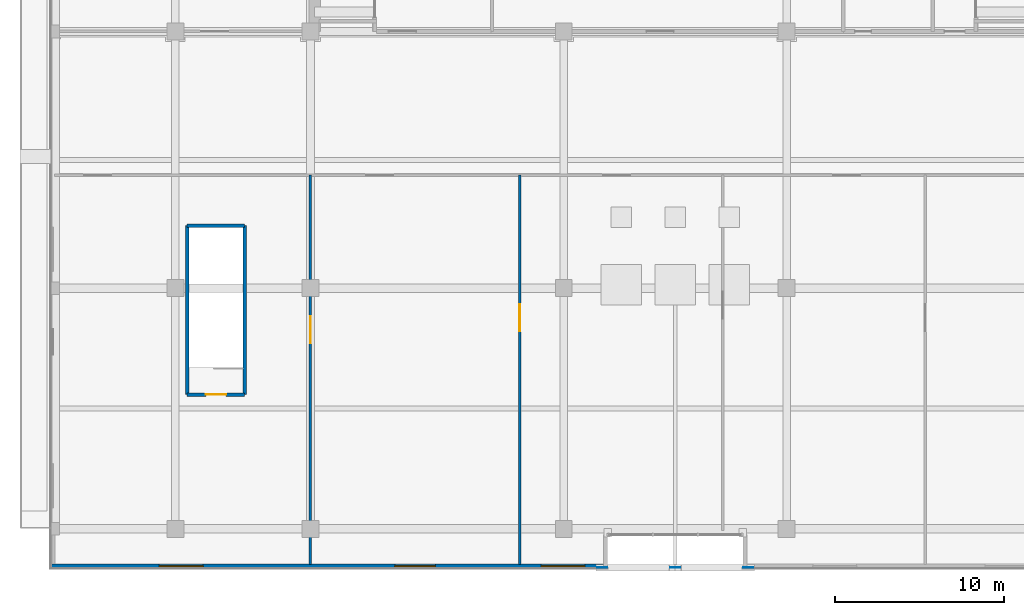
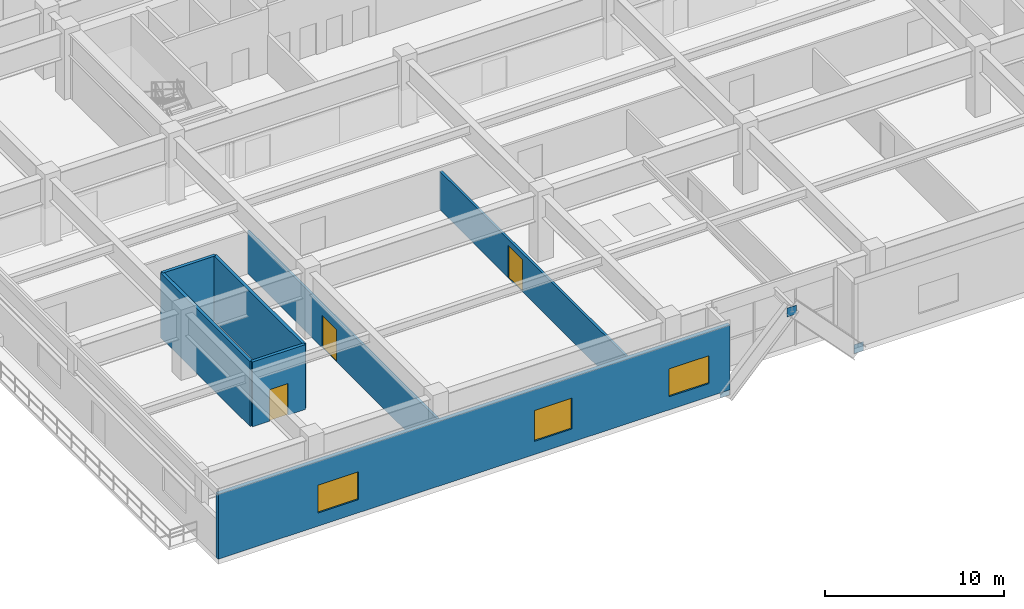
# One storey, part 10 of 17: 7 walls, 3 doors, 3 plates, 3 windows, 6 openings.
"""IFC4 building model written with IfcOpenShell, lengths in metres."""

from ifc_helpers import new_model, si_unit, direction, frame, frame_2d, origin, origin_2d, place, context, subcontext, project, spatial, rectangle, extrude, source, transform, mapped, material, layer, layer_set, type_object, element, fill, save


model = new_model("IFC4")

# Units and contexts
model_context = context("Model", 3, precision=1e-05, world=origin(), true_north=direction((0.0, 1.0)))
body_context = subcontext(model_context, "Body", "Model", "MODEL_VIEW")
ifc_project = project(units=[si_unit("LENGTHUNIT", "METRE"), si_unit("AREAUNIT", "SQUARE_METRE"), si_unit("VOLUMEUNIT", "CUBIC_METRE"), si_unit("PLANEANGLEUNIT", "RADIAN"), si_unit("MASSUNIT", "GRAM", prefix="KILO")], contexts=[model_context])

# Site, building, storey
site_placement = place(None, origin())
site = spatial("IfcSite", under=ifc_project, at=site_placement, CompositionType="ELEMENT")
building_placement = place(site_placement, origin())
building = spatial("IfcBuilding", under=site, at=building_placement, Name="Trelvane Seafront Commons", CompositionType="ELEMENT")
storey_placement = place(building_placement, frame((0.0, 0.0, 18.699951171875)))
storey = spatial("IfcBuildingStorey", under=building, at=storey_placement, Name="L04", CompositionType="ELEMENT", Elevation=18.699951171875)

# Plates
ifc_material_1 = material(Name="Steel SM355 (S355)", Category="steel")
ifc_layer_1 = layer(ifc_material_1, 0.031982421875, Name="STR-PLT-GUS2")
ifc_layer_set_1 = layer_set([ifc_layer_1], Name="Steel SM355 (S355)")
plate_type = type_object("IfcPlateType", Name="STR-PLT-GUS2", PredefinedType="SHEET", material=ifc_layer_set_1)
shared_shape_1 = source(origin(), body_context, "Body", "SweptSolid", [
    extrude(rectangle(XDim=0.60009765625, YDim=0.031982421875, at=origin_2d()), origin(), (0.0, 0.0, 1.0), 0.60009765625),
])
for number, where, z_axis, x_axis, name in (
    (1, (32.8798828125, 1.64990234375, -0.3701171875), (0.0, 0.0, 1.0), (1.0, 0.0, 0.0), "L04 Brace Connection Gusset Plate GP-159"),
    (2, (37.199951171875, 1.64990234375, 3.639892578125), (0.0, 0.0, 1.0), (1.0, 0.0, 0.0), "L04 Brace Connection Gusset Plate GP-160"),
    (3, (41.52001953125, 1.64990234375, -0.3701171875), (0.0, 0.0, 1.0), (1.0, 0.0, 0.0), "L04 Brace Connection Gusset Plate GP-161"),
):
    element("IfcPlate", number, at=place(storey_placement, frame(where, z_axis=z_axis, x_axis=x_axis)), inside=storey, type_object=plate_type, Name=name, PredefinedType="SHEET", context=body_context, shape_type="MappedRepresentation", body=[
        mapped(shared_shape_1, transform((0.0, 0.0, 0.0), x_axis=(1.0, 0.0, 0.0), y_axis=(0.0, 1.0, 0.0), z_axis=(0.0, 0.0, 1.0), scale=1.0)),
    ])

# Wall, openings, windows
ifc_material_2 = material(Name="Precast concrete C40/50", Category="concrete")
ifc_layer_2 = layer(ifc_material_2, 0.260009765625, Name="ARCH-WALL-EXT260")
ifc_layer_set_2 = layer_set([ifc_layer_2], Name="Precast concrete C40/50")
wall_type_1 = type_object("IfcWallType", Name="ARCH-WALL-EXT260", PredefinedType="SOLIDWALL", material=ifc_layer_set_2)
wall_1_placement = place(storey_placement, frame((33.199951171875, 1.72998046875, 0.0), z_axis=(0.0, 0.0, 1.0), x_axis=(-1.0, 0.0, 0.0)))
wall_1 = element("IfcWall", 4, at=wall_1_placement, inside=storey, type_object=wall_type_1, Name="EW-L04-00043", PredefinedType="SOLIDWALL", context=body_context, shape_type="SweptSolid", body=[
    extrude(rectangle(XDim=33.0, YDim=0.260009765625, at=frame_2d((16.5, 0.0))), origin(), (0.0, 0.0, 1.0), 4.420166015625),
])
opening_1_placement = place(wall_1_placement, frame((1.344970703125, 0.0, 0.89990234375)))
opening_1 = element("IfcOpeningElement", 5, at=opening_1_placement, cuts=wall_1, Name="Opening W04", PredefinedType="OPENING", context=body_context, shape_type="SweptSolid", body=[
    extrude(rectangle(XDim=2.60009765625, YDim=1.89990234375, at=frame_2d((1.300048828125, 0.949951171875))), frame((0.0, 0.139892578125, 0.0), z_axis=(0.0, -1.0, 0.0), x_axis=(1.0, 0.0, 0.0)), (0.0, 0.0, 1.0), 0.280029296875),
])
opening_2_placement = place(wall_1_placement, frame((10.199951171875, 0.0, 0.89990234375)))
opening_2 = element("IfcOpeningElement", 6, at=opening_2_placement, cuts=wall_1, Name="Opening W08", PredefinedType="OPENING", context=body_context, shape_type="SweptSolid", body=[
    extrude(rectangle(XDim=2.39990234375, YDim=2.10009765625, at=frame_2d((1.199951171875, 1.050048828125))), frame((0.0, 0.139892578125, 0.0), z_axis=(0.0, -1.0, 0.0), x_axis=(1.0, 0.0, 0.0)), (0.0, 0.0, 1.0), 0.280029296875),
])
opening_3_placement = place(wall_1_placement, frame((23.955078125, 0.0, 0.89990234375)))
opening_3 = element("IfcOpeningElement", 7, at=opening_3_placement, cuts=wall_1, Name="Opening W04", PredefinedType="OPENING", context=body_context, shape_type="SweptSolid", body=[
    extrude(rectangle(XDim=2.60009765625, YDim=1.89990234375, at=frame_2d((1.300048828125, 0.949951171875))), frame((0.0, 0.139892578125, 0.0), z_axis=(0.0, -1.0, 0.0), x_axis=(1.0, 0.0, 0.0)), (0.0, 0.0, 1.0), 0.280029296875),
])
ifc_material_3 = material(Name="Low-E coastal double glazing", Category="glass")
window_type_1 = type_object("IfcWindowType", Name="ARCH-WIN-W08", PartitioningType="SINGLE_PANEL", PredefinedType="WINDOW", material=ifc_material_3)
shared_shape_2 = source(origin(), body_context, "Body", "SweptSolid", [
    extrude(rectangle(XDim=2.39990234375, YDim=2.10009765625, at=frame_2d((1.199951171875, 1.050048828125))), frame((0.0, 0.030029296875, 0.0), z_axis=(0.0, -1.0, 0.0), x_axis=(1.0, 0.0, 0.0)), (0.0, 0.0, 1.0), 0.06005859375),
])
window_1_placement = place(opening_2_placement, origin())
window_1 = element("IfcWindow", 8, at=window_1_placement, inside=storey, type_object=window_type_1, Name="WIN-L04-00068", OverallHeight=2.10009765625, OverallWidth=2.39990234375, PartitioningType="SINGLE_PANEL", PredefinedType="WINDOW", context=body_context, shape_type="MappedRepresentation", body=[
    mapped(shared_shape_2, transform((0.0, 0.0, 0.0), x_axis=(1.0, 0.0, 0.0), y_axis=(0.0, 1.0, 0.0), z_axis=(0.0, 0.0, 1.0), scale=1.0)),
])
fill(opening_2, window_1)
window_type_2 = type_object("IfcWindowType", Name="ARCH-WIN-W04", PartitioningType="SINGLE_PANEL", PredefinedType="WINDOW", material=ifc_material_3)
shared_shape_3 = source(origin(), body_context, "Body", "SweptSolid", [
    extrude(rectangle(XDim=2.60009765625, YDim=1.89990234375, at=frame_2d((1.300048828125, 0.949951171875))), frame((0.0, 0.030029296875, 0.0), z_axis=(0.0, -1.0, 0.0), x_axis=(1.0, 0.0, 0.0)), (0.0, 0.0, 1.0), 0.06005859375),
])
window_2_placement = place(opening_1_placement, origin())
window_2 = element("IfcWindow", 9, at=window_2_placement, inside=storey, type_object=window_type_2, Name="WIN-L04-00067", OverallHeight=1.89990234375, OverallWidth=2.60009765625, PartitioningType="SINGLE_PANEL", PredefinedType="WINDOW", context=body_context, shape_type="MappedRepresentation", body=[
    mapped(shared_shape_3, transform((0.0, 0.0, 0.0), x_axis=(1.0, 0.0, 0.0), y_axis=(0.0, 1.0, 0.0), z_axis=(0.0, 0.0, 1.0), scale=1.0)),
])
fill(opening_1, window_2)
window_3_placement = place(opening_3_placement, origin())
window_3 = element("IfcWindow", 10, at=window_3_placement, inside=storey, type_object=window_type_2, Name="WIN-L04-00069", OverallHeight=1.89990234375, OverallWidth=2.60009765625, PartitioningType="SINGLE_PANEL", PredefinedType="WINDOW", context=body_context, shape_type="MappedRepresentation", body=[
    mapped(shared_shape_3, transform((0.0, 0.0, 0.0), x_axis=(1.0, 0.0, 0.0), y_axis=(0.0, 1.0, 0.0), z_axis=(0.0, 0.0, 1.0), scale=1.0)),
])
fill(opening_3, window_3)

# Wall, opening, door
ifc_material_4 = material(Name="Gypsum Drywall Acoustic Partition")
ifc_layer_3 = layer(ifc_material_4, 0.14990234375, Name="ARCH-WALL-PART150")
ifc_layer_set_3 = layer_set([ifc_layer_3], Name="Gypsum Drywall Acoustic Partition")
wall_type_2 = type_object("IfcWallType", Name="ARCH-WALL-PART150", PredefinedType="PARTITIONING", material=ifc_layer_set_3)
wall_2_placement = place(storey_placement, frame((15.60009765625, 1.85009765625, 0.0), z_axis=(0.0, 0.0, 1.0), x_axis=(0.0, 1.0, 0.0)))
wall_2 = element("IfcWall", 11, at=wall_2_placement, inside=storey, type_object=wall_type_2, Name="W-L04-POD-DIV-1-053", PredefinedType="PARTITIONING", context=body_context, shape_type="SweptSolid", body=[
    extrude(rectangle(XDim=23.0498046875, YDim=0.14990234375, at=frame_2d((11.52490234375, 0.0))), origin(), (0.0, 0.0, 1.0), 2.920166015625),
])
opening_4_placement = place(wall_2_placement, frame((13.083984375, 0.0, 0.0)))
opening_4 = element("IfcOpeningElement", 12, at=opening_4_placement, cuts=wall_2, Name="Opening D-L04-31", PredefinedType="OPENING", context=body_context, shape_type="SweptSolid", body=[
    extrude(rectangle(XDim=1.60009765625, YDim=2.199951171875, at=frame_2d((0.800048828125, 1.10009765625))), frame((0.0, 0.0849609375, 0.0), z_axis=(0.0, -1.0, 0.0), x_axis=(1.0, 0.0, 0.0)), (0.0, 0.0, 1.0), 0.169921875),
])
ifc_material_5 = material(Name="Acoustic timber door leaf", Category="wood")
door_type_1 = type_object("IfcDoorType", Name="ARCH-DR-GLZ1600", OperationType="DOUBLE_DOOR_SINGLE_SWING", PredefinedType="DOOR", material=ifc_material_5)
shared_shape_4 = source(origin(), body_context, "Body", "SweptSolid", [
    extrude(rectangle(XDim=1.60009765625, YDim=2.199951171875, at=frame_2d((0.800048828125, 1.10009765625))), frame((0.0, 0.02490234375, 0.0), z_axis=(0.0, -1.0, 0.0), x_axis=(1.0, 0.0, 0.0)), (0.0, 0.0, 1.0), 0.050048828125),
])
door_1_placement = place(opening_4_placement, origin())
door_1 = element("IfcDoor", 13, at=door_1_placement, inside=storey, type_object=door_type_1, Name="L04 Door 31", OperationType="DOUBLE_DOOR_SINGLE_SWING", OverallHeight=2.199951171875, OverallWidth=1.60009765625, PredefinedType="DOOR", context=body_context, shape_type="MappedRepresentation", body=[
    mapped(shared_shape_4, transform((0.0, 0.0, 0.0), x_axis=(1.0, 0.0, 0.0), y_axis=(0.0, 1.0, 0.0), z_axis=(0.0, 0.0, 1.0), scale=1.0)),
])
fill(opening_4, door_1)

wall_3_placement = place(storey_placement, frame((28.0, 1.85009765625, 0.0), z_axis=(0.0, 0.0, 1.0), x_axis=(0.0, 1.0, 0.0)))
wall_3 = element("IfcWall", 14, at=wall_3_placement, inside=storey, type_object=wall_type_2, Name="W-L04-POD-DIV-2-054", PredefinedType="PARTITIONING", context=body_context, shape_type="SweptSolid", body=[
    extrude(rectangle(XDim=23.0498046875, YDim=0.14990234375, at=frame_2d((11.52490234375, 0.0))), origin(), (0.0, 0.0, 1.0), 2.6201171875),
])
opening_5_placement = place(wall_3_placement, frame((13.81005859375, 0.0, 0.0)))
opening_5 = element("IfcOpeningElement", 15, at=opening_5_placement, cuts=wall_3, Name="Opening D-L04-32", PredefinedType="OPENING", context=body_context, shape_type="SweptSolid", body=[
    extrude(rectangle(XDim=1.60009765625, YDim=2.199951171875, at=frame_2d((0.800048828125, 1.10009765625))), frame((0.0, 0.0849609375, 0.0), z_axis=(0.0, -1.0, 0.0), x_axis=(1.0, 0.0, 0.0)), (0.0, 0.0, 1.0), 0.169921875),
])
door_2_placement = place(opening_5_placement, origin())
door_2 = element("IfcDoor", 16, at=door_2_placement, inside=storey, type_object=door_type_1, Name="L04 Door 32", OperationType="DOUBLE_DOOR_SINGLE_SWING", OverallHeight=2.199951171875, OverallWidth=1.60009765625, PredefinedType="DOOR", context=body_context, shape_type="MappedRepresentation", body=[
    mapped(shared_shape_4, transform((0.0, 0.0, 0.0), x_axis=(1.0, 0.0, 0.0), y_axis=(0.0, 1.0, 0.0), z_axis=(0.0, 0.0, 1.0), scale=1.0)),
])
fill(opening_5, door_2)

# Walls
ifc_material_6 = material(Name="Concrete C50/60", Category="concrete")
ifc_layer_4 = layer(ifc_material_6, 0.199951171875, Name="STR-WALL-STAIR200")
ifc_layer_set_4 = layer_set([ifc_layer_4], Name="Concrete C50/60")
wall_type_3 = type_object("IfcWallType", Name="STR-WALL-STAIR200", PredefinedType="SHEAR", material=ifc_layer_set_4)
for number, where, z_axis, x_axis, name in (
    (17, (8.300048828125, 11.89990234375, 0.0), (0.0, 0.0, 1.0), (0.0, 1.0, 0.0), "W-L04-ST3-W-008"),
    (18, (11.699951171875, 11.89990234375, 0.0), (0.0, 0.0, 1.0), (0.0, 1.0, 0.0), "W-L04-ST3-E-009"),
):
    element("IfcWall", number, at=place(storey_placement, frame(where, z_axis=z_axis, x_axis=x_axis)), inside=storey, type_object=wall_type_3, Name=name, PredefinedType="SHEAR", context=body_context, shape_type="SweptSolid", body=[
        extrude(rectangle(XDim=10.0, YDim=0.199951171875, at=frame_2d((5.0, 0.0))), origin(), (0.0, 0.0, 1.0), 4.420166015625),
    ])

# Wall, opening, door
wall_4_placement = place(storey_placement, frame((8.300048828125, 11.89990234375, 0.0), z_axis=(0.0, 0.0, 1.0), x_axis=(1.0, 0.0, 0.0)))
wall_4 = element("IfcWall", 19, at=wall_4_placement, inside=storey, type_object=wall_type_3, Name="W-L04-ST3-S-010", PredefinedType="SHEAR", context=body_context, shape_type="SweptSolid", body=[
    extrude(rectangle(XDim=3.39990234375, YDim=0.199951171875, at=frame_2d((1.699951171875, 0.0))), origin(), (0.0, 0.0, 1.0), 4.420166015625),
])
opening_6_placement = place(wall_4_placement, frame((1.10009765625, 0.0, 0.0)))
opening_6 = element("IfcOpeningElement", 20, at=opening_6_placement, cuts=wall_4, Name="Opening ST-D-ST3-L04", PredefinedType="OPENING", context=body_context, shape_type="SweptSolid", body=[
    extrude(rectangle(XDim=1.199951171875, YDim=2.14990234375, at=frame_2d((0.60009765625, 1.074951171875))), frame((0.0, 0.10986328125, 0.0), z_axis=(0.0, -1.0, 0.0), x_axis=(1.0, 0.0, 0.0)), (0.0, 0.0, 1.0), 0.219970703125),
])
ifc_material_7 = material(Name="Powder-coated aluminium frame", Category="aluminium")
door_type_2 = type_object("IfcDoorType", Name="ARCH-DR-FD90-1200", OperationType="NOTDEFINED", PredefinedType="DOOR", material=ifc_material_7)
shared_shape_5 = source(origin(), body_context, "Body", "SweptSolid", [
    extrude(rectangle(XDim=1.199951171875, YDim=2.14990234375, at=frame_2d((0.60009765625, 1.074951171875))), frame((0.0, 0.02490234375, 0.0), z_axis=(0.0, -1.0, 0.0), x_axis=(1.0, 0.0, 0.0)), (0.0, 0.0, 1.0), 0.050048828125),
])
door_3_placement = place(opening_6_placement, origin())
door_3 = element("IfcDoor", 21, at=door_3_placement, inside=storey, type_object=door_type_2, Name="L04 Podium ST3 Fire Door", OperationType="SINGLE_SWING_LEFT", OverallHeight=2.14990234375, OverallWidth=1.199951171875, PredefinedType="DOOR", context=body_context, shape_type="MappedRepresentation", body=[
    mapped(shared_shape_5, transform((0.0, 0.0, 0.0), x_axis=(1.0, 0.0, 0.0), y_axis=(0.0, 1.0, 0.0), z_axis=(0.0, 0.0, 1.0), scale=1.0)),
])
fill(opening_6, door_3)

# Wall
wall_5_placement = place(storey_placement, frame((8.300048828125, 21.89990234375, 0.0), z_axis=(0.0, 0.0, 1.0), x_axis=(1.0, 0.0, 0.0)))
element("IfcWall", 22, at=wall_5_placement, inside=storey, type_object=wall_type_3, Name="W-L04-ST3-N-011", PredefinedType="SHEAR", context=body_context, shape_type="SweptSolid", body=[
    extrude(rectangle(XDim=3.39990234375, YDim=0.199951171875, at=frame_2d((1.699951171875, 0.0))), origin(), (0.0, 0.0, 1.0), 4.420166015625),
])

save(model, "model.ifc")
